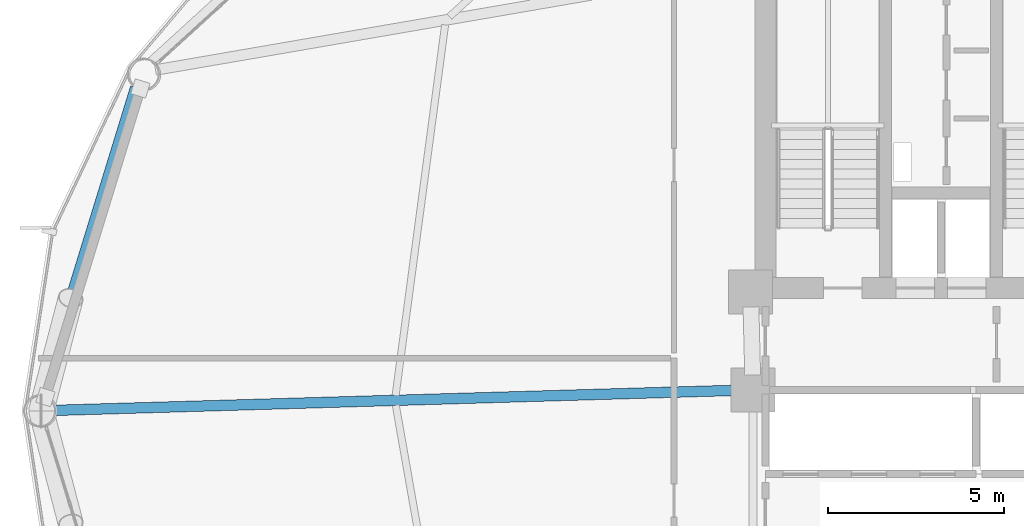
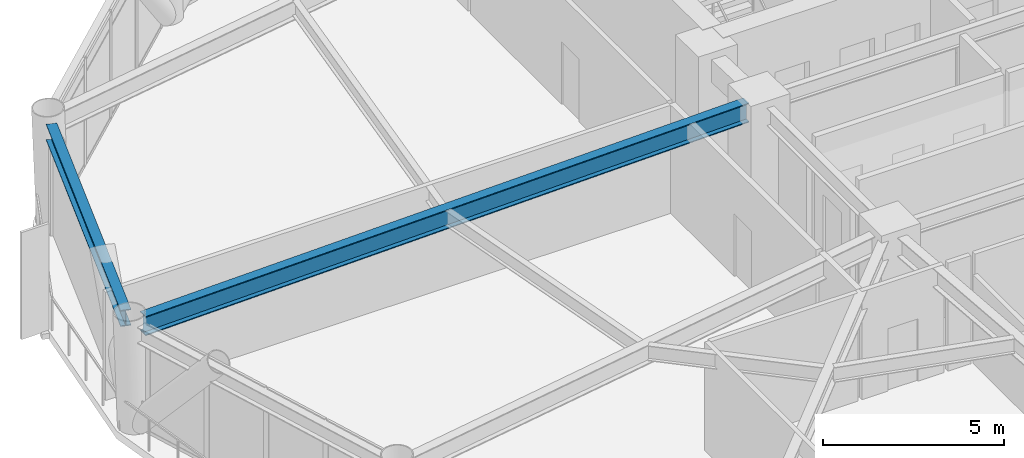
# One storey, part 10 of 26: 2 beams.
"""IFC4 building model written with IfcOpenShell, lengths in metres."""

from ifc_helpers import new_model, si_unit, direction, frame, origin, origin_2d, place, context, subcontext, project, spatial, i_section, extrude, material, material_profile, profile_set, type_object, element, save


model = new_model("IFC4")

# Units and contexts
model_context = context("Model", 3, precision=1e-05, world=origin(), true_north=direction((0.0, 1.0)))
body_context = subcontext(model_context, "Body", "Model", "MODEL_VIEW")
ifc_project = project(units=[si_unit("LENGTHUNIT", "METRE"), si_unit("AREAUNIT", "SQUARE_METRE"), si_unit("VOLUMEUNIT", "CUBIC_METRE"), si_unit("PLANEANGLEUNIT", "RADIAN"), si_unit("MASSUNIT", "GRAM", prefix="KILO")], contexts=[model_context])

# Site, building, storey
site_placement = place(None, origin())
site = spatial("IfcSite", under=ifc_project, at=site_placement, CompositionType="ELEMENT")
building_placement = place(site_placement, origin())
building = spatial("IfcBuilding", under=site, at=building_placement, Name="Varnakorn Sky Granary", CompositionType="ELEMENT")
storey_placement = place(building_placement, frame((0.0, 0.0, 51.0)))
storey = spatial("IfcBuildingStorey", under=building, at=storey_placement, Name="L12", CompositionType="ELEMENT", Elevation=51.0)

# Beams
ifc_material = material(Name="Steel S355JR", Category="steel")
ifc_material_profile_1 = material_profile(ifc_material, i_section(OverallWidth=0.300048828125, OverallDepth=0.64990234375, WebThickness=0.01611328125, FlangeThickness=0.031005859375, at=origin_2d()), Name="HE 650 B")
ifc_profile_set_1 = profile_set([ifc_material_profile_1], Name="Steel S355JR")
beam_type_1 = type_object("IfcBeamType", Name="BM-RAD-Z1", PredefinedType="BEAM", material=ifc_profile_set_1)
beam_1_placement = place(storey_placement, frame((-2.769775390625, 0.587646484375, 3.31494140625), z_axis=(-0.999567862387, -0.029395382006, 0.0), x_axis=(0.029395382006, -0.999567862387, 0.0)))
element("IfcBeam", 1, at=beam_1_placement, inside=storey, type_object=beam_type_1, Name="Radial Floor Girder RG07 L12", PredefinedType="BEAM", context=body_context, shape_type="SweptSolid", body=[
    extrude(i_section(OverallWidth=0.300048828125, OverallDepth=0.64990234375, WebThickness=0.01611328125, FlangeThickness=0.031005859375, at=origin_2d()), origin(), (0.0, 0.0, 1.0), 19.551025390625),
])
ifc_material_profile_2 = material_profile(ifc_material, i_section(OverallWidth=0.300048828125, OverallDepth=0.550048828125, WebThickness=0.014892578125, FlangeThickness=0.029052734375, at=origin_2d()), Name="HE 550 B")
ifc_profile_set_2 = profile_set([ifc_material_profile_2], Name="Steel S355JR")
beam_type_2 = type_object("IfcBeamType", Name="BM-SPD-Z1", PredefinedType="SPANDREL", material=ifc_profile_set_2)
beam_2_placement = place(storey_placement, frame((-19.919677734375, 9.20361328125, 3.364990234375), z_axis=(-0.294302432342, -0.955712340779, 0.0), x_axis=(0.955712340779, -0.294302432342, 0.0)))
element("IfcBeam", 2, at=beam_2_placement, inside=storey, type_object=beam_type_2, Name="Perimeter Spandrel Ring Beam RB06 L12", PredefinedType="SPANDREL", context=body_context, shape_type="SweptSolid", body=[
    extrude(i_section(OverallWidth=0.300048828125, OverallDepth=0.550048828125, WebThickness=0.014892578125, FlangeThickness=0.029052734375, at=origin_2d()), origin(), (0.0, 0.0, 1.0), 9.188232421875),
])

save(model, "model.ifc")
